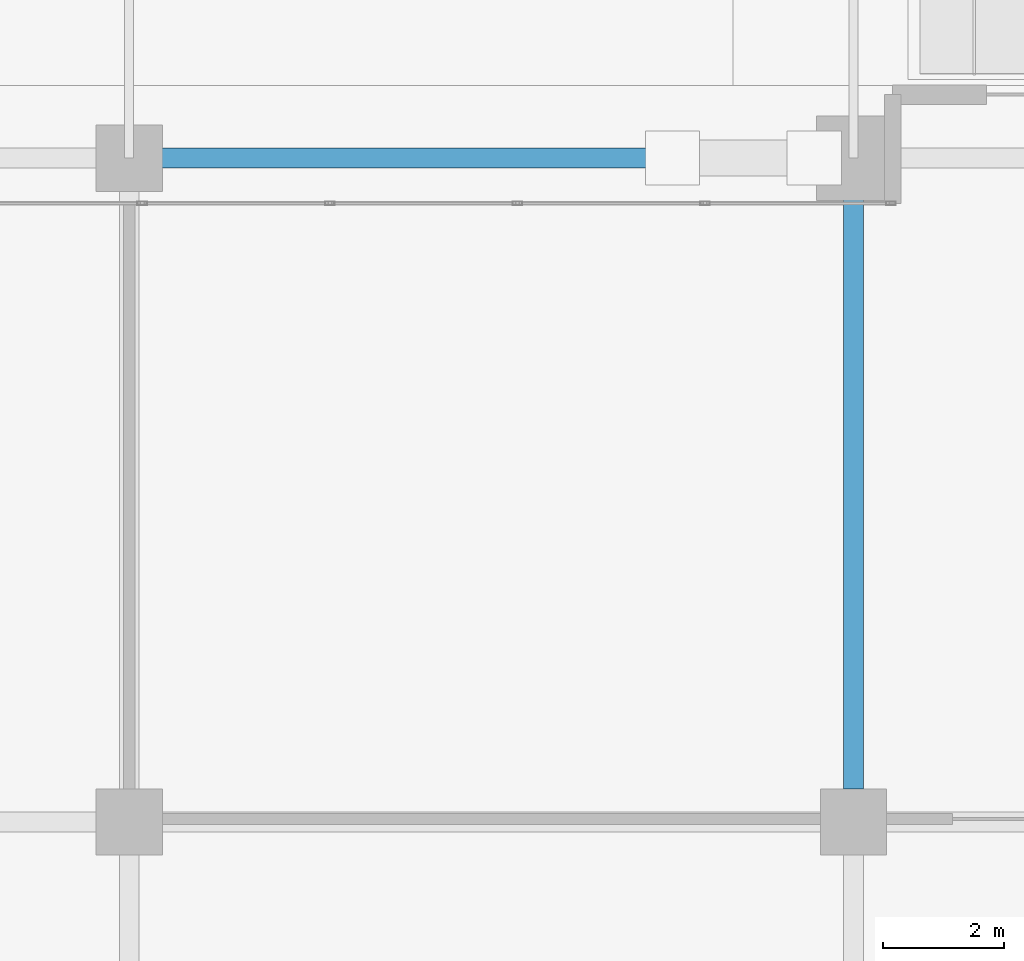
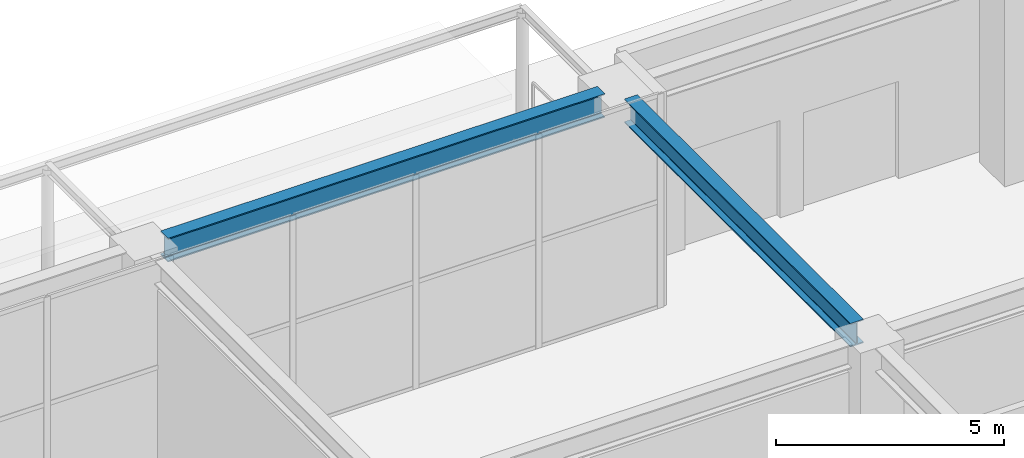
# One storey, part 28 of 49: 2 beams.
"""IFC4 building model written with IfcOpenShell, lengths in metres."""

from ifc_helpers import new_model, si_unit, direction, frame, origin, origin_2d, place, context, subcontext, project, spatial, i_section, extrude, material, material_profile, profile_set, type_object, element, save


model = new_model("IFC4")

# Units and contexts
model_context = context("Model", 3, precision=1e-05, world=origin(), true_north=direction((0.0, 1.0)))
body_context = subcontext(model_context, "Body", "Model", "MODEL_VIEW")
ifc_project = project(units=[si_unit("LENGTHUNIT", "METRE"), si_unit("AREAUNIT", "SQUARE_METRE"), si_unit("VOLUMEUNIT", "CUBIC_METRE"), si_unit("PLANEANGLEUNIT", "RADIAN"), si_unit("MASSUNIT", "GRAM", prefix="KILO")], contexts=[model_context])

# Site, building, storey
site_placement = place(None, origin())
site = spatial("IfcSite", under=ifc_project, at=site_placement, CompositionType="ELEMENT")
building_placement = place(site_placement, origin())
building = spatial("IfcBuilding", under=site, at=building_placement, Name="Sarneth Arch Tower", CompositionType="ELEMENT")
storey_placement = place(building_placement, origin())
storey = spatial("IfcBuildingStorey", under=building, at=storey_placement, Name="L00", CompositionType="ELEMENT", Elevation=0.0)

# Beams
ifc_material = material(Name="Steel S355", Category="steel")
ifc_material_profile = material_profile(ifc_material, i_section(OverallWidth=0.3291015625, OverallDepth=0.635009765625, WebThickness=0.017822265625, FlangeThickness=0.031005859375, FilletRadius=0.01904296875, at=origin_2d()), Name="W610x241")
ifc_profile_set = profile_set([ifc_material_profile], Name="Steel S355")
beam_type = type_object("IfcBeamType", Name="BM-POD-610", PredefinedType="BEAM", material=ifc_profile_set)
beam_1_placement = place(storey_placement, frame((54.52001953125, 74.800048828125, 5.402587890625), z_axis=(1.0, 0.0, 0.0), x_axis=(0.0, 1.0, 0.0)))
element("IfcBeam", 1, at=beam_1_placement, inside=storey, type_object=beam_type, Name="L00 Podium PN girder 6", PredefinedType="BEAM", context=body_context, shape_type="SweptSolid", body=[
    extrude(i_section(OverallWidth=0.3291015625, OverallDepth=0.635009765625, WebThickness=0.017822265625, FlangeThickness=0.031005859375, FilletRadius=0.01904296875, at=origin_2d()), origin(), (0.0, 0.0, 1.0), 11.04443359375),
])
beam_2_placement = place(storey_placement, frame((66.0, 64.35009765625, 5.402587890625), z_axis=(0.0, 1.0, 0.0), x_axis=(-1.0, 0.0, 0.0)))
element("IfcBeam", 2, at=beam_2_placement, inside=storey, type_object=beam_type, Name="L00 Podium N-S girder E66.4", PredefinedType="BEAM", context=body_context, shape_type="SweptSolid", body=[
    extrude(i_section(OverallWidth=0.3291015625, OverallDepth=0.635009765625, WebThickness=0.017822265625, FlangeThickness=0.031005859375, FilletRadius=0.01904296875, at=origin_2d()), origin(), (0.0, 0.0, 1.0), 9.89990234375),
])

save(model, "model.ifc")
